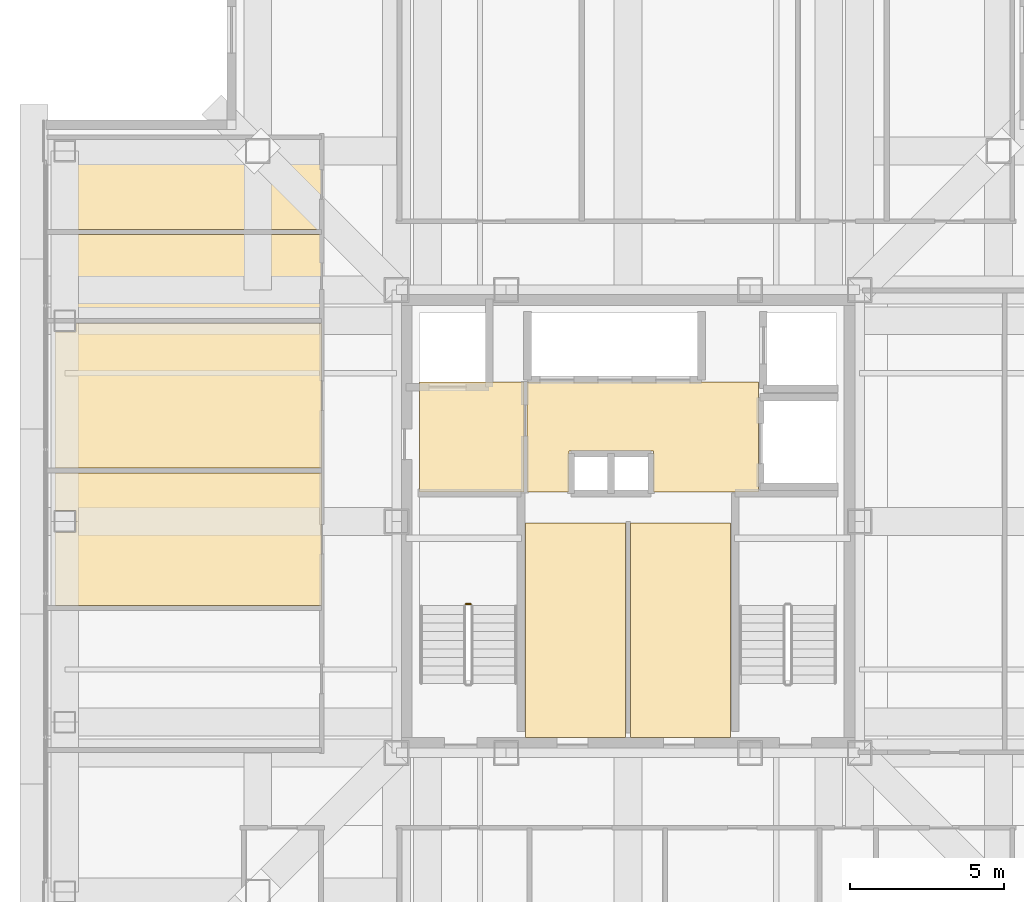
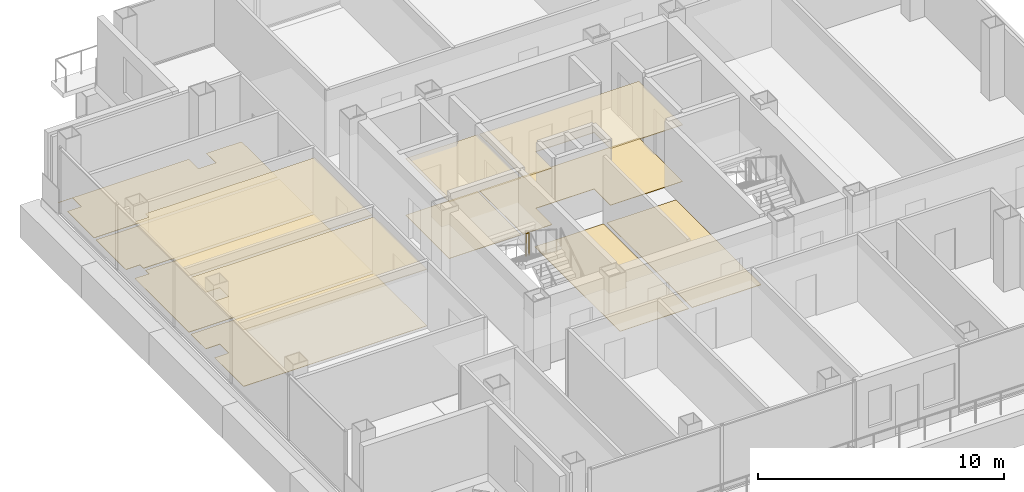
# One storey, part 12 of 15: 12 coverings, 1 railing.
"""IFC4 building model written with IfcOpenShell, lengths in metres."""

from ifc_helpers import new_model, si_unit, direction, frame, origin, origin_2d, place, context, subcontext, project, spatial, polyline, circle, outline, extrude, material, layer, layer_set, type_object, element, save


model = new_model("IFC4")

# Units and contexts
model_context = context("Model", 3, precision=1e-05, world=origin(), true_north=direction((0.0, 1.0)))
body_context = subcontext(model_context, "Body", "Model", "MODEL_VIEW")
ifc_project = project(units=[si_unit("LENGTHUNIT", "METRE"), si_unit("AREAUNIT", "SQUARE_METRE"), si_unit("VOLUMEUNIT", "CUBIC_METRE"), si_unit("PLANEANGLEUNIT", "RADIAN"), si_unit("MASSUNIT", "GRAM", prefix="KILO")], contexts=[model_context])

# Site, building, storey
site_placement = place(None, origin())
site = spatial("IfcSite", under=ifc_project, at=site_placement, CompositionType="ELEMENT")
building_placement = place(site_placement, origin())
building = spatial("IfcBuilding", under=site, at=building_placement, Name="Trevonay Congress Spire", CompositionType="ELEMENT")
storey_placement = place(building_placement, frame((0.0, 0.0, 232.39990234375)))
storey = spatial("IfcBuildingStorey", under=building, at=storey_placement, Name="L60", CompositionType="ELEMENT", Elevation=232.39990234375)

# Coverings
ifc_material_1 = material(Name="Acoustic Mineral Fibre Board", Category="gypsum")
ifc_layer_1 = layer(ifc_material_1, 0.02490234375, Name="Acoustic Mineral Fibre Board")
ifc_layer_set_1 = layer_set([ifc_layer_1], Name="Acoustic Mineral Fibre Board")
covering_type_1 = type_object("IfcCoveringType", Name="COV-CEIL-ACOUSTIC", PredefinedType="CEILING", material=ifc_layer_set_1)
covering_1_placement = place(storey_placement, frame((0.0, 0.0, 2.81005859375)))
element("IfcCovering", 1, at=covering_1_placement, inside=storey, type_object=covering_type_1, Name="L60 Firefighting Lift Lobby West acoustic suspended ceiling", PredefinedType="CEILING", context=body_context, shape_type="SweptSolid", body=[
    extrude(outline(polyline([(-6.75, 0.9599609375), (-3.3798828125, 0.9599609375), (-3.3798828125, 4.52001953125), (-6.75, 4.52001953125), (-6.75, 0.9599609375)])), origin(), (0.0, 0.0, 1.0), 0.025146484375),
])
covering_2_placement = place(storey_placement, frame((0.0, 0.0, 2.81005859375)))
element("IfcCovering", 2, at=covering_2_placement, inside=storey, type_object=covering_type_1, Name="L60 Central and High-Rise Passenger Lift Lobby acoustic suspended ceiling", PredefinedType="CEILING", context=body_context, shape_type="SweptSolid", body=[
    extrude(outline(polyline([(-3.280029296875, 0.949951171875), (-1.919921875, 0.949951171875), (-1.919921875, 2.280029296875), (0.820068359375, 2.280029296875), (0.820068359375, 0.949951171875), (4.219970703125, 0.949951171875), (4.219970703125, 4.52001953125), (-3.280029296875, 4.52001953125), (-3.280029296875, 0.949951171875)])), origin(), (0.0, 0.0, 1.0), 0.025146484375),
])
covering_3_placement = place(storey_placement, frame((0.0, 0.0, 2.81005859375)))
element("IfcCovering", 3, at=covering_3_placement, inside=storey, type_object=covering_type_1, Name="L60 Press Attache Office acoustic suspended ceiling", PredefinedType="CEILING", context=body_context, shape_type="SweptSolid", body=[
    extrude(outline(polyline([(-18.550048828125, 1.570068359375), (-9.929931640625, 1.570068359375), (-9.929931640625, -2.719970703125), (-18.550048828125, -2.719970703125), (-18.550048828125, -0.360107421875), (-17.889892578125, -0.360107421875), (-17.889892578125, 0.360107421875), (-18.550048828125, 0.360107421875), (-18.550048828125, 1.570068359375)])), origin(), (0.0, 0.0, 1.0), 0.025146484375),
])
covering_4_placement = place(storey_placement, frame((0.0, 0.0, 2.81005859375)))
element("IfcCovering", 4, at=covering_4_placement, inside=storey, type_object=covering_type_1, Name="L60 Registry Cipher Office acoustic suspended ceiling", PredefinedType="CEILING", context=body_context, shape_type="SweptSolid", body=[
    extrude(outline(polyline([(-9.929931640625, 6.419921875), (-9.929931640625, 1.72998046875), (-18.550048828125, 1.72998046875), (-18.550048828125, 6.139892578125), (-17.889892578125, 6.139892578125), (-17.889892578125, 6.419921875), (-9.929931640625, 6.419921875)])), origin(), (0.0, 0.0, 1.0), 0.025146484375),
])
ifc_material_2 = material(Name="Polished Granite Floor Tile", Category="masonry")
ifc_layer_2 = layer(ifc_material_2, 0.02001953125, Name="Polished Granite Floor Tile")
ifc_layer_set_2 = layer_set([ifc_layer_2], Name="Polished Granite Floor Tile")
covering_type_2 = type_object("IfcCoveringType", Name="COV-FLOOR-STONE", PredefinedType="FLOORING", material=ifc_layer_set_2)
covering_5_placement = place(storey_placement, origin())
element("IfcCovering", 5, at=covering_5_placement, inside=storey, type_object=covering_type_2, Name="L60 Firefighting Lift Lobby West floor finish", PredefinedType="FLOORING", context=body_context, shape_type="SweptSolid", body=[
    extrude(outline(polyline([(-6.75, 0.9599609375), (-3.3798828125, 0.9599609375), (-3.3798828125, 4.52001953125), (-6.75, 4.52001953125), (-6.75, 0.9599609375)])), origin(), (0.0, 0.0, 1.0), 0.02001953125),
])
covering_6_placement = place(storey_placement, origin())
element("IfcCovering", 6, at=covering_6_placement, inside=storey, type_object=covering_type_2, Name="L60 Central and High-Rise Passenger Lift Lobby floor finish", PredefinedType="FLOORING", context=body_context, shape_type="SweptSolid", body=[
    extrude(outline(polyline([(-3.280029296875, 0.949951171875), (-1.919921875, 0.949951171875), (-1.919921875, 2.280029296875), (0.820068359375, 2.280029296875), (0.820068359375, 0.949951171875), (4.219970703125, 0.949951171875), (4.219970703125, 4.52001953125), (-3.280029296875, 4.52001953125), (-3.280029296875, 0.949951171875)])), origin(), (0.0, 0.0, 1.0), 0.02001953125),
])
covering_7_placement = place(storey_placement, origin())
element("IfcCovering", 7, at=covering_7_placement, inside=storey, type_object=covering_type_2, Name="L60 Core Server and IT Hub floor finish", PredefinedType="FLOORING", context=body_context, shape_type="SweptSolid", body=[
    extrude(outline(polyline([(-3.320068359375, -7.0), (-0.080078125, -7.0), (-0.080078125, -0.050048828125), (-3.320068359375, -0.050048828125), (-3.320068359375, -7.0)])), origin(), (0.0, 0.0, 1.0), 0.02001953125),
])
covering_8_placement = place(storey_placement, origin())
element("IfcCovering", 8, at=covering_8_placement, inside=storey, type_object=covering_type_2, Name="L60 Core Document Archive Room floor finish", PredefinedType="FLOORING", context=body_context, shape_type="SweptSolid", body=[
    extrude(outline(polyline([(0.080078125, -7.0), (3.320068359375, -7.0), (3.320068359375, -0.050048828125), (0.080078125, -0.050048828125), (0.080078125, -7.0)])), origin(), (0.0, 0.0, 1.0), 0.02001953125),
])
covering_9_placement = place(storey_placement, origin())
element("IfcCovering", 9, at=covering_9_placement, inside=storey, type_object=covering_type_2, Name="L60 Male Restroom WC floor finish", PredefinedType="FLOORING", context=body_context, shape_type="SweptSolid", body=[
    extrude(outline(polyline([(-18.550048828125, 9.300048828125), (-9.929931640625, 9.300048828125), (-9.929931640625, 6.580078125), (-17.889892578125, 6.580078125), (-17.889892578125, 6.860107421875), (-18.550048828125, 6.860107421875), (-18.550048828125, 9.300048828125)])), origin(), (0.0, 0.0, 1.0), 0.02001953125),
])
covering_10_placement = place(storey_placement, origin())
element("IfcCovering", 10, at=covering_10_placement, inside=storey, type_object=covering_type_2, Name="L60 Floor Supplies and Copy Room floor finish", PredefinedType="FLOORING", context=body_context, shape_type="SweptSolid", body=[
    extrude(outline(polyline([(-9.929931640625, 12.3701171875), (-9.929931640625, 9.4599609375), (-18.550048828125, 9.4599609375), (-18.550048828125, 11.639892578125), (-17.889892578125, 11.639892578125), (-17.889892578125, 12.360107421875), (-18.550048828125, 12.360107421875), (-18.550048828125, 12.3701171875), (-12.409912109375, 12.3701171875), (-12.409912109375, 11.590087890625), (-11.590087890625, 11.590087890625), (-11.590087890625, 12.3701171875), (-9.929931640625, 12.3701171875)])), origin(), (0.0, 0.0, 1.0), 0.02001953125),
])
ifc_material_3 = material(Name="Engineered Oak Flooring", Category="wood")
ifc_layer_3 = layer(ifc_material_3, 0.01806640625, Name="Engineered Oak Flooring")
ifc_layer_set_3 = layer_set([ifc_layer_3], Name="Engineered Oak Flooring")
covering_type_3 = type_object("IfcCoveringType", Name="COV-FLOOR-TIMBER", PredefinedType="FLOORING", material=ifc_layer_set_3)
covering_11_placement = place(storey_placement, origin())
element("IfcCovering", 11, at=covering_11_placement, inside=storey, type_object=covering_type_3, Name="L60 Press Attache Office floor finish", PredefinedType="FLOORING", context=body_context, shape_type="SweptSolid", body=[
    extrude(outline(polyline([(-18.550048828125, 1.570068359375), (-9.929931640625, 1.570068359375), (-9.929931640625, -2.719970703125), (-18.550048828125, -2.719970703125), (-18.550048828125, -0.360107421875), (-17.889892578125, -0.360107421875), (-17.889892578125, 0.360107421875), (-18.550048828125, 0.360107421875), (-18.550048828125, 1.570068359375)])), origin(), (0.0, 0.0, 1.0), 0.01806640625),
])
covering_12_placement = place(storey_placement, origin())
element("IfcCovering", 12, at=covering_12_placement, inside=storey, type_object=covering_type_3, Name="L60 Registry Cipher Office floor finish", PredefinedType="FLOORING", context=body_context, shape_type="SweptSolid", body=[
    extrude(outline(polyline([(-9.929931640625, 6.419921875), (-9.929931640625, 1.72998046875), (-18.550048828125, 1.72998046875), (-18.550048828125, 6.139892578125), (-17.889892578125, 6.139892578125), (-17.889892578125, 6.419921875), (-9.929931640625, 6.419921875)])), origin(), (0.0, 0.0, 1.0), 0.01806640625),
])

# Railing
ifc_material_4 = material(Name="Pale Anodised Aluminium EN AW-6063-T6", Category="aluminium")
railing_type = type_object("IfcRailingType", Name="RAL-STAIR-GUARD-110", PredefinedType="GUARDRAIL", material=ifc_material_4)
railing_placement = place(storey_placement, frame((-5.10009765625, -2.679931640625, 1.800048828125)))
element("IfcRailing", 13, at=railing_placement, inside=storey, type_object=railing_type, Name="L60 ST-1 stair guard 2", PredefinedType="GUARDRAIL", context=body_context, shape_type="SweptSolid", body=[
    extrude(circle(Radius=0.02392578125, at=origin_2d()), frame((0.0, 0.0, 1.1259765625), z_axis=(-1.0, 0.0, 0.0), x_axis=(0.0, -1.0, 0.0)), (0.0, 0.0, 1.0), 0.14990234375),
    extrude(circle(Radius=0.02099609375, at=origin_2d()), origin(), (0.0, 0.0, 1.0), 1.101806640625),
    extrude(circle(Radius=0.02099609375, at=origin_2d()), frame((-0.14990234375, 0.0, 0.0)), (0.0, 0.0, 1.0), 1.101806640625),
])

save(model, "model.ifc")
